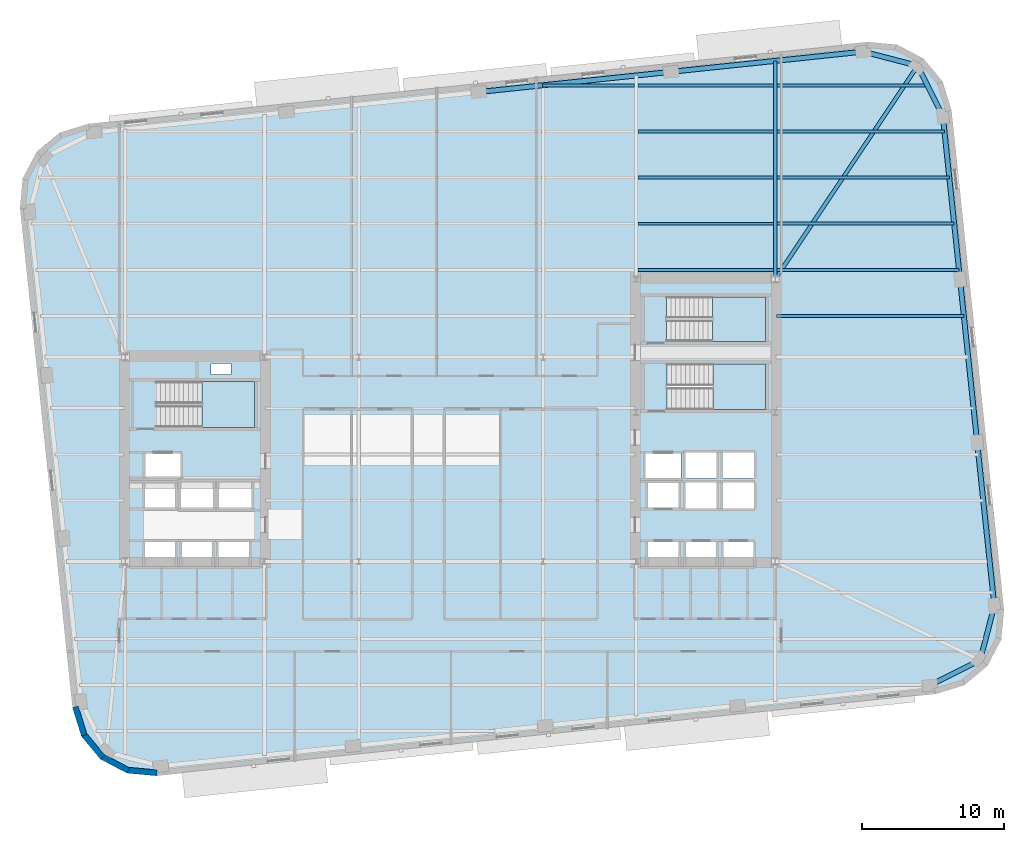
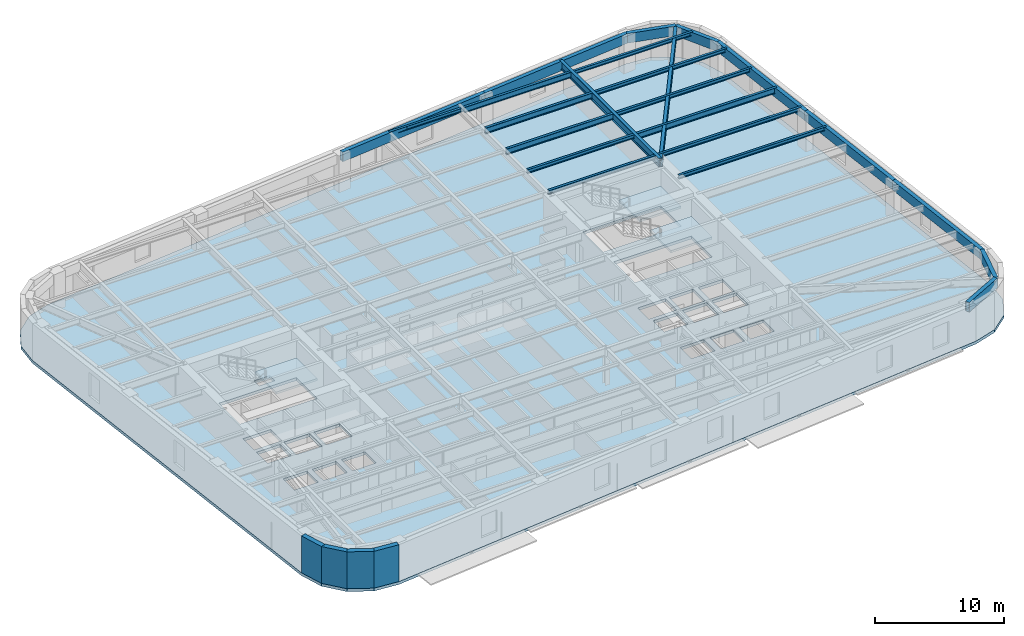
# One storey, part 3 of 13: 23 beams, 4 slabs, 4 walls, 3 elements without a shape of their own.
"""IFC4 building model written with IfcOpenShell, lengths in metres."""

from ifc_helpers import new_model, si_unit, direction, frame, frame_2d, origin, origin_2d, place, context, subcontext, project, spatial, polyline, rectangle, hollow_rectangle, i_section, outline, extrude, material, layer, layer_set, material_profile, profile_set, type_object, element, aggregate, save


model = new_model("IFC4")

# Units and contexts
model_context = context("Model", 3, precision=1e-05, world=origin(), true_north=direction((0.0, 1.0)))
body_context = subcontext(model_context, "Body", "Model", "MODEL_VIEW")
ifc_project = project(units=[si_unit("LENGTHUNIT", "METRE"), si_unit("AREAUNIT", "SQUARE_METRE"), si_unit("VOLUMEUNIT", "CUBIC_METRE"), si_unit("PLANEANGLEUNIT", "RADIAN"), si_unit("MASSUNIT", "GRAM", prefix="KILO")], contexts=[model_context])

# Site, building, storey
site_placement = place(None, origin())
site = spatial("IfcSite", under=ifc_project, at=site_placement, CompositionType="ELEMENT")
building_placement = place(site_placement, origin())
building = spatial("IfcBuilding", under=site, at=building_placement, Name="Kolvaren Arena Tower", CompositionType="ELEMENT")
storey_placement = place(building_placement, frame((0.0, 0.0, 114.699951171875)))
storey = spatial("IfcBuildingStorey", under=building, at=storey_placement, Name="L26", CompositionType="ELEMENT", Elevation=114.699951171875)

# Beams
ifc_material_1 = material(Name="Steel CSA G40.21 350W", Category="steel")
ifc_material_profile_1 = material_profile(ifc_material_1, i_section(OverallWidth=0.2119140625, OverallDepth=0.54296875, WebThickness=0.01318359375, FlangeThickness=0.0244140625, FilletRadius=0.013916015625, at=origin_2d()), Name="W530x150")
ifc_profile_set_1 = profile_set([ifc_material_profile_1], Name="Steel CSA G40.21 350W")
beam_type_1 = type_object("IfcBeamType", Name="BEAM-F1", PredefinedType="BEAM", material=ifc_profile_set_1)
beam_1_placement = place(storey_placement, frame((60.485107421875, 43.25, 3.20849609375), z_axis=(1.0, 0.0, 0.0), x_axis=(0.0, 1.0, 0.0)))
element("IfcBeam", 1, at=beam_1_placement, inside=storey, type_object=beam_type_1, Name="Composite Floor Beam (L26)", PredefinedType="BEAM", context=body_context, shape_type="SweptSolid", body=[
    extrude(i_section(OverallWidth=0.2119140625, OverallDepth=0.54296875, WebThickness=0.01318359375, FlangeThickness=0.0244140625, FilletRadius=0.013916015625, at=origin_2d()), origin(), (0.0, 0.0, 1.0), 12.471435546875),
])
for number, where, z_axis, x_axis, name in (
    (2, (50.68505859375, 46.5, 3.20849609375), (1.0, 0.0, 0.0), (0.0, 1.0, 0.0), "Composite Floor Beam (L26)"),
    (3, (50.68505859375, 49.75, 3.20849609375), (1.0, 0.0, 0.0), (0.0, 1.0, 0.0), "Composite Floor Beam (L26)"),
    (4, (50.68505859375, 53.0, 3.20849609375), (1.0, 0.0, 0.0), (0.0, 1.0, 0.0), "Composite Floor Beam (L26)"),
):
    element("IfcBeam", number, at=place(storey_placement, frame(where, z_axis=z_axis, x_axis=x_axis)), inside=storey, type_object=beam_type_1, Name=name, PredefinedType="BEAM", context=body_context, shape_type="SweptSolid", body=[
        extrude(i_section(OverallWidth=0.2119140625, OverallDepth=0.54296875, WebThickness=0.01318359375, FlangeThickness=0.0244140625, FilletRadius=0.013916015625, at=origin_2d()), origin(), (0.0, 0.0, 1.0), 9.530029296875),
    ])
ifc_material_profile_2 = material_profile(ifc_material_1, i_section(OverallWidth=0.27001953125, OverallDepth=0.77294921875, WebThickness=0.019287109375, FlangeThickness=0.033447265625, FilletRadius=0.01806640625, at=origin_2d()), Name="W760x257")
ifc_profile_set_2 = profile_set([ifc_material_profile_2], Name="Steel CSA G40.21 350W")
beam_type_2 = type_object("IfcBeamType", Name="GIRD-T1", PredefinedType="BEAM", material=ifc_profile_set_2)
beam_2_placement = place(storey_placement, frame((70.387939453125, 54.37939453125, 3.093505859375), z_axis=(-0.555401401293, -0.831582397266, 0.0), x_axis=(0.831582397266, -0.555401401293, 0.0)))
element("IfcBeam", 5, at=beam_2_placement, inside=storey, type_object=beam_type_2, Name="Corner Diagonal Tie Girder (L26)", PredefinedType="BEAM", context=body_context, shape_type="SweptSolid", body=[
    extrude(i_section(OverallWidth=0.27001953125, OverallDepth=0.77294921875, WebThickness=0.019287109375, FlangeThickness=0.033447265625, FilletRadius=0.01806640625, at=origin_2d()), origin(), (0.0, 0.0, 1.0), 18.0732421875),
])
beam_3_placement = place(storey_placement, frame((60.35009765625, 39.405029296875, 3.093505859375), z_axis=(0.0, 1.0, 0.0), x_axis=(-1.0, 0.0, 0.0)))
element("IfcBeam", 6, at=beam_3_placement, inside=storey, type_object=beam_type_2, Name="Primary Floor Girder (L26)", PredefinedType="BEAM", context=body_context, shape_type="SweptSolid", body=[
    extrude(i_section(OverallWidth=0.27001953125, OverallDepth=0.77294921875, WebThickness=0.019287109375, FlangeThickness=0.033447265625, FilletRadius=0.01806640625, at=origin_2d()), origin(), (0.0, 0.0, 1.0), 15.318359375),
])
ifc_material_profile_3 = material_profile(ifc_material_1, i_section(OverallWidth=0.202880859375, OverallDepth=0.346923828125, WebThickness=0.0078125, FlangeThickness=0.013427734375, FilletRadius=0.010986328125, at=origin_2d()), Name="W360x64")
ifc_profile_set_3 = profile_set([ifc_material_profile_3], Name="Steel CSA G40.21 350W")
beam_type_3 = type_object("IfcBeamType", Name="JOIST-01", PredefinedType="JOIST", material=ifc_profile_set_3)
beam_4_placement = place(storey_placement, frame((60.445068359375, 36.75, 3.306640625), z_axis=(1.0, 0.0, 0.0), x_axis=(0.0, 1.0, 0.0)))
element("IfcBeam", 7, at=beam_4_placement, inside=storey, type_object=beam_type_3, Name="Composite Floor Joist (L26)", PredefinedType="JOIST", context=body_context, shape_type="SweptSolid", body=[
    extrude(i_section(OverallWidth=0.202880859375, OverallDepth=0.346923828125, WebThickness=0.0078125, FlangeThickness=0.013427734375, FilletRadius=0.010986328125, at=origin_2d()), origin(), (0.0, 0.0, 1.0), 13.19482421875),
])
beam_5_placement = place(storey_placement, frame((50.68505859375, 40.0, 3.306640625), z_axis=(1.0, 0.0, 0.0), x_axis=(0.0, 1.0, 0.0)))
element("IfcBeam", 8, at=beam_5_placement, inside=storey, type_object=beam_type_3, Name="Composite Floor Joist (L26)", PredefinedType="JOIST", context=body_context, shape_type="SweptSolid", body=[
    extrude(i_section(OverallWidth=0.202880859375, OverallDepth=0.346923828125, WebThickness=0.0078125, FlangeThickness=0.013427734375, FilletRadius=0.010986328125, at=origin_2d()), origin(), (0.0, 0.0, 1.0), 9.530029296875),
])
beam_6_placement = place(storey_placement, frame((60.485107421875, 40.0, 3.306640625), z_axis=(1.0, 0.0, 0.0), x_axis=(0.0, 1.0, 0.0)))
element("IfcBeam", 9, at=beam_6_placement, inside=storey, type_object=beam_type_3, Name="Composite Floor Joist (L26)", PredefinedType="JOIST", context=body_context, shape_type="SweptSolid", body=[
    extrude(i_section(OverallWidth=0.202880859375, OverallDepth=0.346923828125, WebThickness=0.0078125, FlangeThickness=0.013427734375, FilletRadius=0.010986328125, at=origin_2d()), origin(), (0.0, 0.0, 1.0), 12.81298828125),
])
beam_7_placement = place(storey_placement, frame((50.68505859375, 43.25, 3.306640625), z_axis=(1.0, 0.0, 0.0), x_axis=(0.0, 1.0, 0.0)))
element("IfcBeam", 10, at=beam_7_placement, inside=storey, type_object=beam_type_3, Name="Composite Floor Joist (L26)", PredefinedType="JOIST", context=body_context, shape_type="SweptSolid", body=[
    extrude(i_section(OverallWidth=0.202880859375, OverallDepth=0.346923828125, WebThickness=0.0078125, FlangeThickness=0.013427734375, FilletRadius=0.010986328125, at=origin_2d()), origin(), (0.0, 0.0, 1.0), 9.530029296875),
])
beam_8_placement = place(storey_placement, frame((60.485107421875, 46.5, 3.306640625), z_axis=(1.0, 0.0, 0.0), x_axis=(0.0, 1.0, 0.0)))
element("IfcBeam", 11, at=beam_8_placement, inside=storey, type_object=beam_type_3, Name="Composite Floor Joist (L26)", PredefinedType="JOIST", context=body_context, shape_type="SweptSolid", body=[
    extrude(i_section(OverallWidth=0.202880859375, OverallDepth=0.346923828125, WebThickness=0.0078125, FlangeThickness=0.013427734375, FilletRadius=0.010986328125, at=origin_2d()), origin(), (0.0, 0.0, 1.0), 12.1298828125),
])
beam_9_placement = place(storey_placement, frame((60.485107421875, 49.75, 3.306640625), z_axis=(1.0, 0.0, 0.0), x_axis=(0.0, 1.0, 0.0)))
element("IfcBeam", 12, at=beam_9_placement, inside=storey, type_object=beam_type_3, Name="Composite Floor Joist (L26)", PredefinedType="JOIST", context=body_context, shape_type="SweptSolid", body=[
    extrude(i_section(OverallWidth=0.202880859375, OverallDepth=0.346923828125, WebThickness=0.0078125, FlangeThickness=0.013427734375, FilletRadius=0.010986328125, at=origin_2d()), origin(), (0.0, 0.0, 1.0), 11.788330078125),
])
beam_10_placement = place(storey_placement, frame((43.95361328125, 53.0, 3.306640625), z_axis=(1.0, 0.0, 0.0), x_axis=(0.0, 1.0, 0.0)))
element("IfcBeam", 13, at=beam_10_placement, inside=storey, type_object=beam_type_3, Name="Composite Floor Joist (L26)", PredefinedType="JOIST", context=body_context, shape_type="SweptSolid", body=[
    extrude(i_section(OverallWidth=0.202880859375, OverallDepth=0.346923828125, WebThickness=0.0078125, FlangeThickness=0.013427734375, FilletRadius=0.010986328125, at=origin_2d()), origin(), (0.0, 0.0, 1.0), 6.46142578125),
])
beam_11_placement = place(storey_placement, frame((60.485107421875, 53.0, 3.306640625), z_axis=(1.0, 0.0, 0.0), x_axis=(0.0, 1.0, 0.0)))
element("IfcBeam", 14, at=beam_11_placement, inside=storey, type_object=beam_type_3, Name="Composite Floor Joist (L26)", PredefinedType="JOIST", context=body_context, shape_type="SweptSolid", body=[
    extrude(i_section(OverallWidth=0.202880859375, OverallDepth=0.346923828125, WebThickness=0.0078125, FlangeThickness=0.013427734375, FilletRadius=0.010986328125, at=origin_2d()), origin(), (0.0, 0.0, 1.0), 10.592529296875),
])
ifc_material_2 = material(Name="Steel CSA G40.21 350WT", Category="steel")
ifc_material_profile_4 = material_profile(ifc_material_2, hollow_rectangle(XDim=0.35009765625, YDim=0.89990234375, WallThickness=0.02001953125, at=origin_2d()), Name="HSS 900x350x20")
ifc_profile_set_4 = profile_set([ifc_material_profile_4], Name="Steel CSA G40.21 350WT")
beam_type_4 = type_object("IfcBeamType", Name="SPAND-01", PredefinedType="SPANDREL", material=ifc_profile_set_4)
for number, where, z_axis, x_axis, name in (
    (15, (71.247314453125, 10.721435546875, 3.030029296875), (0.894451843771, 0.44716428656, 0.0), (-0.44716428656, 0.894451843771, 0.0), "Perimeter Spandrel Beam (L26)"),
    (16, (74.790283203125, 12.49267578125, 3.030029296875), (0.251473350892, 0.967864222808, 0.0), (-0.967864222808, 0.251473350892, 0.0), "Perimeter Spandrel Beam (L26)"),
):
    element("IfcBeam", number, at=place(storey_placement, frame(where, z_axis=z_axis, x_axis=x_axis)), inside=storey, type_object=beam_type_4, Name=name, PredefinedType="SPANDREL", context=body_context, shape_type="SweptSolid", body=[
        extrude(hollow_rectangle(XDim=0.35009765625, YDim=0.89990234375, WallThickness=0.02001953125, at=origin_2d()), origin(), (0.0, 0.0, 1.0), 3.9609375),
    ])
beam_12_placement = place(storey_placement, frame((75.786376953125, 16.326416015625, 3.030029296875), z_axis=(-0.104522171998, 0.994522556587, 0.0), x_axis=(-0.994522556587, -0.104522171998, 0.0)))
element("IfcBeam", 17, at=beam_12_placement, inside=storey, type_object=beam_type_4, Name="Perimeter Spandrel Beam (L26)", PredefinedType="SPANDREL", context=body_context, shape_type="SweptSolid", body=[
    extrude(hollow_rectangle(XDim=0.35009765625, YDim=0.89990234375, WallThickness=0.02001953125, at=origin_2d()), origin(), (0.0, 0.0, 1.0), 11.56689453125),
])
beam_13_placement = place(storey_placement, frame((74.577392578125, 27.829833984375, 3.030029296875), z_axis=(-0.104524366116, 0.994522325988, 0.0), x_axis=(-0.994522325988, -0.104524366116, 0.0)))
element("IfcBeam", 18, at=beam_13_placement, inside=storey, type_object=beam_type_4, Name="Perimeter Spandrel Beam (L26)", PredefinedType="SPANDREL", context=body_context, shape_type="SweptSolid", body=[
    extrude(hollow_rectangle(XDim=0.35009765625, YDim=0.89990234375, WallThickness=0.02001953125, at=origin_2d()), origin(), (0.0, 0.0, 1.0), 11.566650390625),
])
beam_14_placement = place(storey_placement, frame((73.368408203125, 39.3330078125, 3.030029296875), z_axis=(-0.104543048399, 0.994520362301, 0.0), x_axis=(-0.994520362301, -0.104543048399, 0.0)))
element("IfcBeam", 19, at=beam_14_placement, inside=storey, type_object=beam_type_4, Name="Perimeter Spandrel Beam (L26)", PredefinedType="SPANDREL", context=body_context, shape_type="SweptSolid", body=[
    extrude(hollow_rectangle(XDim=0.35009765625, YDim=0.89990234375, WallThickness=0.02001953125, at=origin_2d()), origin(), (0.0, 0.0, 1.0), 11.56689453125),
])
for number, where, z_axis, x_axis, name in (
    (20, (72.1591796875, 50.83642578125, 3.030029296875), (-0.44716428656, 0.894451843771, 0.0), (-0.894451843771, -0.44716428656, 0.0), "Perimeter Spandrel Beam (L26)"),
    (21, (70.387939453125, 54.37939453125, 3.030029296875), (-0.967864222808, 0.251473350892, 0.0), (-0.251473350892, -0.967864222808, 0.0), "Perimeter Spandrel Beam (L26)"),
):
    element("IfcBeam", number, at=place(storey_placement, frame(where, z_axis=z_axis, x_axis=x_axis)), inside=storey, type_object=beam_type_4, Name=name, PredefinedType="SPANDREL", context=body_context, shape_type="SweptSolid", body=[
        extrude(hollow_rectangle(XDim=0.35009765625, YDim=0.89990234375, WallThickness=0.02001953125, at=origin_2d()), origin(), (0.0, 0.0, 1.0), 3.9609375),
    ])
beam_15_placement = place(storey_placement, frame((66.55419921875, 55.37548828125, 3.030029296875), z_axis=(-0.994521150946, -0.104535545729, 0.0), x_axis=(0.104535545729, -0.994521150946, 0.0)))
element("IfcBeam", 22, at=beam_15_placement, inside=storey, type_object=beam_type_4, Name="Perimeter Spandrel Beam (L26)", PredefinedType="SPANDREL", context=body_context, shape_type="SweptSolid", body=[
    extrude(hollow_rectangle(XDim=0.35009765625, YDim=0.89990234375, WallThickness=0.02001953125, at=origin_2d()), origin(), (0.0, 0.0, 1.0), 13.625244140625),
])
beam_16_placement = place(storey_placement, frame((53.003662109375, 53.951171875, 3.030029296875), z_axis=(-0.994522817887, -0.104519685718, 0.0), x_axis=(0.104519685718, -0.994522817887, 0.0)))
element("IfcBeam", 23, at=beam_16_placement, inside=storey, type_object=beam_type_4, Name="Perimeter Spandrel Beam (L26)", PredefinedType="SPANDREL", context=body_context, shape_type="SweptSolid", body=[
    extrude(hollow_rectangle(XDim=0.35009765625, YDim=0.89990234375, WallThickness=0.02001953125, at=origin_2d()), origin(), (0.0, 0.0, 1.0), 13.625),
])

# Stair, slab
ifc_material_3 = material(Name="Concrete 45 MPa", Category="concrete")
stair_type_1 = type_object("IfcStairType", Name="STAIR-CORE-165", PredefinedType="HALF_TURN_STAIR", material=ifc_material_3)
stair_1_placement = place(storey_placement, origin())
stair_1 = element("IfcStair", 24, at=stair_1_placement, inside=storey, type_object=stair_type_1, Name="L26 ST-W1", PredefinedType="HALF_TURN_STAIR")
ifc_layer_1 = layer(ifc_material_3, 0.199951171875)
ifc_layer_set_1 = layer_set([ifc_layer_1], Name="Concrete 45 MPa")
slab_type_1 = type_object("IfcSlabType", Name="SLAB-LAND", PredefinedType="LANDING", material=ifc_layer_set_1)
slab_1_placement = place(storey_placement, frame((0.0, 0.0, 1.675048828125)))
slab_1 = element("IfcSlab", 25, at=slab_1_placement, type_object=slab_type_1, Name="ST-W1 landing 1", PredefinedType="LANDING", context=body_context, shape_type="SweptSolid", body=[
    extrude(outline(polyline([(19.9599609375, 28.89990234375), (23.659912109375, 28.89990234375), (23.659912109375, 32.1298828125), (19.9599609375, 32.1298828125), (19.9599609375, 28.89990234375)])), origin(), (0.0, 0.0, 1.0), 0.199951171875),
])
aggregate(stair_1, [slab_1])

stair_2_placement = place(storey_placement, origin())
stair_2 = element("IfcStair", 26, at=stair_2_placement, inside=storey, type_object=stair_type_1, Name="L26 ST-E1", PredefinedType="HALF_TURN_STAIR")
slab_2_placement = place(storey_placement, frame((0.0, 0.0, 1.675048828125)))
slab_2 = element("IfcSlab", 27, at=slab_2_placement, type_object=slab_type_1, Name="ST-E1 landing 1", PredefinedType="LANDING", context=body_context, shape_type="SweptSolid", body=[
    extrude(outline(polyline([(55.9599609375, 30.14990234375), (59.659912109375, 30.14990234375), (59.659912109375, 33.3798828125), (55.9599609375, 33.3798828125), (55.9599609375, 30.14990234375)])), origin(), (0.0, 0.0, 1.0), 0.199951171875),
])
aggregate(stair_2, [slab_2])

stair_type_2 = type_object("IfcStairType", Name="STAIR-CORE-150", PredefinedType="HALF_TURN_STAIR", material=ifc_material_3)
stair_3_placement = place(storey_placement, origin())
stair_3 = element("IfcStair", 28, at=stair_3_placement, inside=storey, type_object=stair_type_2, Name="L26 ST-E2", PredefinedType="HALF_TURN_STAIR")
slab_3_placement = place(storey_placement, frame((0.0, 0.0, 1.675048828125)))
slab_3 = element("IfcSlab", 29, at=slab_3_placement, type_object=slab_type_1, Name="ST-E2 landing 1", PredefinedType="LANDING", context=body_context, shape_type="SweptSolid", body=[
    extrude(outline(polyline([(55.919921875, 34.949951171875), (59.659912109375, 34.949951171875), (59.659912109375, 38.10009765625), (55.919921875, 38.10009765625), (55.919921875, 34.949951171875)])), origin(), (0.0, 0.0, 1.0), 0.199951171875),
])
aggregate(stair_3, [slab_3])

# Slab
ifc_layer_2 = layer(ifc_material_3, 0.27001953125)
ifc_layer_set_2 = layer_set([ifc_layer_2], Name="Concrete 45 MPa")
slab_type_2 = type_object("IfcSlabType", Name="SLAB-OFF2", PredefinedType="FLOOR", material=ifc_layer_set_2)
slab_4_placement = place(storey_placement, frame((0.0, 0.0, -0.27001953125)))
element("IfcSlab", 30, at=slab_4_placement, inside=storey, type_object=slab_type_2, Name="L26 Primary Structural Slab", PredefinedType="FLOOR", context=body_context, shape_type="SweptSolid", body=[
    extrude(outline(polyline([(71.663330078125, 10.111572265625), (73.675537109375, 10.736328125), (75.29541015625, 12.08349609375), (76.276611328125, 13.9482421875), (76.469482421875, 16.04638671875), (72.76904296875, 51.25244140625), (72.144287109375, 53.2646484375), (70.797119140625, 54.884521484375), (68.932373046875, 55.865478515625), (66.834228515625, 56.058349609375), (11.9365234375, 50.28857421875), (9.92431640625, 49.663818359375), (8.304443359375, 48.31640625), (7.323486328125, 46.45166015625), (7.130615234375, 44.353515625), (10.830810546875, 9.1474609375), (11.455810546875, 7.13525390625), (12.802978515625, 5.515380859375), (14.667724609375, 4.534423828125), (16.765869140625, 4.341552734375), (71.663330078125, 10.111572265625)]), holes=[polyline([(15.93505859375, 19.0849609375), (15.93505859375, 20.81494140625), (18.06494140625, 20.81494140625), (18.06494140625, 19.0849609375), (15.93505859375, 19.0849609375)]), polyline([(18.534912109375, 19.0849609375), (18.534912109375, 20.81494140625), (20.6650390625, 20.81494140625), (20.6650390625, 19.0849609375), (18.534912109375, 19.0849609375)]), polyline([(21.135009765625, 19.0849609375), (21.135009765625, 20.81494140625), (23.264892578125, 20.81494140625), (23.264892578125, 19.0849609375), (21.135009765625, 19.0849609375)]), polyline([(51.39501953125, 19.0849609375), (51.39501953125, 20.81494140625), (53.52490234375, 20.81494140625), (53.52490234375, 19.0849609375), (51.39501953125, 19.0849609375)]), polyline([(54.054931640625, 19.0849609375), (54.054931640625, 20.81494140625), (56.18505859375, 20.81494140625), (56.18505859375, 19.0849609375), (54.054931640625, 19.0849609375)]), polyline([(56.695068359375, 19.0849609375), (56.695068359375, 20.81494140625), (58.824951171875, 20.81494140625), (58.824951171875, 19.0849609375), (56.695068359375, 19.0849609375)]), polyline([(18.4599609375, 25.06494140625), (20.739990234375, 25.06494140625), (20.739990234375, 23.135009765625), (18.4599609375, 23.135009765625), (18.4599609375, 25.06494140625)]), polyline([(21.159912109375, 23.135009765625), (21.159912109375, 25.06494140625), (23.43994140625, 25.06494140625), (23.43994140625, 23.135009765625), (21.159912109375, 23.135009765625)]), polyline([(54.030029296875, 25.014892578125), (56.2099609375, 25.014892578125), (56.2099609375, 23.18505859375), (54.030029296875, 23.18505859375), (54.030029296875, 25.014892578125)]), polyline([(56.669921875, 25.014892578125), (58.85009765625, 25.014892578125), (58.85009765625, 23.18505859375), (56.669921875, 23.18505859375), (56.669921875, 25.014892578125)]), polyline([(15.93505859375, 24.965087890625), (18.06494140625, 24.965087890625), (18.06494140625, 23.235107421875), (15.93505859375, 23.235107421875), (15.93505859375, 24.965087890625)]), polyline([(51.39501953125, 23.235107421875), (51.39501953125, 24.965087890625), (53.52490234375, 24.965087890625), (53.52490234375, 23.235107421875), (51.39501953125, 23.235107421875)]), polyline([(54.030029296875, 25.284912109375), (54.030029296875, 27.114990234375), (56.2099609375, 27.114990234375), (56.2099609375, 25.284912109375), (54.030029296875, 25.284912109375)]), polyline([(56.669921875, 25.284912109375), (56.669921875, 27.114990234375), (58.85009765625, 27.114990234375), (58.85009765625, 25.284912109375), (56.669921875, 25.284912109375)]), polyline([(15.9599609375, 25.3349609375), (15.9599609375, 27.06494140625), (18.43994140625, 27.06494140625), (18.43994140625, 25.3349609375), (15.9599609375, 25.3349609375)]), polyline([(51.219970703125, 25.3349609375), (51.219970703125, 27.06494140625), (53.699951171875, 27.06494140625), (53.699951171875, 25.3349609375), (51.219970703125, 25.3349609375)]), polyline([(16.735107421875, 32.1298828125), (23.659912109375, 32.1298828125), (23.659912109375, 28.89990234375), (16.735107421875, 28.89990234375), (16.735107421875, 32.1298828125)]), polyline([(52.735107421875, 33.3798828125), (59.659912109375, 33.3798828125), (59.659912109375, 30.14990234375), (52.735107421875, 30.14990234375), (52.735107421875, 33.3798828125)]), polyline([(20.60009765625, 33.39990234375), (22.0, 33.39990234375), (22.0, 32.6201171875), (20.60009765625, 32.6201171875), (20.60009765625, 33.39990234375)]), polyline([(52.695068359375, 38.10009765625), (59.659912109375, 38.10009765625), (59.659912109375, 34.949951171875), (52.695068359375, 34.949951171875), (52.695068359375, 38.10009765625)])]), origin(), (0.0, 0.0, 1.0), 0.27001953125),
])

# Walls
ifc_material_4 = material(Name="Precast concrete C50/60", Category="concrete")
ifc_layer_3 = layer(ifc_material_4, 0.419921875)
ifc_layer_set_3 = layer_set([ifc_layer_3], Name="Precast concrete C50/60")
wall_type = type_object("IfcWallType", Name="EXT-PIER1", PredefinedType="SOLIDWALL", material=ifc_layer_set_3)
for number, where, z_axis, x_axis, name in (
    (31, (11.65625, 7.197509765625, 0.0), (0.0, 0.0, 1.0), (-0.296519484366, 0.955026803494, 0.0), "Exterior Precast Masonry-Frame Wall (L26)"),
    (32, (12.964599609375, 5.649658203125, 0.0), (0.0, 0.0, 1.0), (-0.639488914921, 0.768800317178, 0.0), "Exterior Precast Masonry-Frame Wall (L26)"),
    (33, (14.765380859375, 4.72021484375, 0.0), (0.0, 0.0, 1.0), (-0.884940843444, 0.465703450282, 0.0), "Exterior Precast Masonry-Frame Wall (L26)"),
):
    element("IfcWall", number, at=place(storey_placement, frame(where, z_axis=z_axis, x_axis=x_axis)), inside=storey, type_object=wall_type, Name=name, PredefinedType="SOLIDWALL", context=body_context, shape_type="SweptSolid", body=[
        extrude(rectangle(XDim=2.10693359375, YDim=0.419921875, at=frame_2d((1.053466796875, 0.0))), origin(), (0.0, 0.0, 1.0), 3.47998046875),
    ])
wall_placement = place(storey_placement, frame((16.784912109375, 4.55078125, 0.0), z_axis=(0.0, 0.0, 1.0), x_axis=(-0.995811110714, 0.091434303078, 0.0)))
element("IfcWall", 34, at=wall_placement, inside=storey, type_object=wall_type, Name="Exterior Precast Masonry-Frame Wall (L26)", PredefinedType="SOLIDWALL", context=body_context, shape_type="SweptSolid", body=[
    extrude(rectangle(XDim=2.106689453125, YDim=0.419921875, at=frame_2d((1.05322265625, 0.0))), origin(), (0.0, 0.0, 1.0), 3.47998046875),
])

save(model, "model.ifc")
